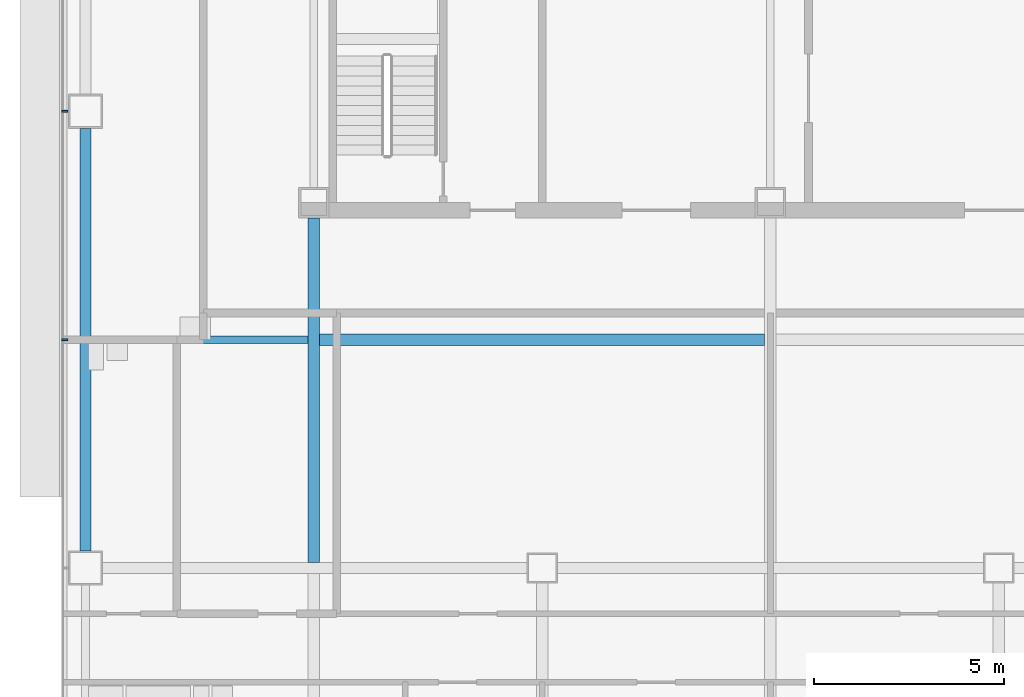
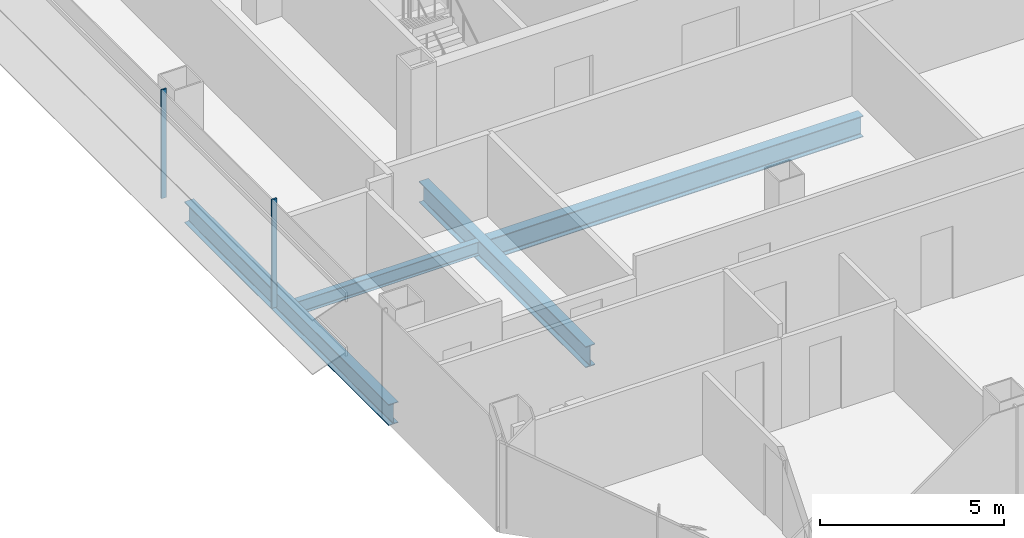
# One storey, part 4 of 27: 4 beams, 2 members, 1 element without a shape of its own.
"""IFC4 building model written with IfcOpenShell, lengths in metres."""

from ifc_helpers import new_model, si_unit, direction, frame, origin, origin_2d, place, context, subcontext, project, spatial, rectangle, i_section, extrude, material, material_profile, profile_set, type_object, element, aggregate, save


model = new_model("IFC4")

# Units and contexts
model_context = context("Model", 3, precision=1e-05, world=origin(), true_north=direction((0.0, 1.0)))
body_context = subcontext(model_context, "Body", "Model", "MODEL_VIEW")
ifc_project = project(units=[si_unit("LENGTHUNIT", "METRE"), si_unit("AREAUNIT", "SQUARE_METRE"), si_unit("VOLUMEUNIT", "CUBIC_METRE"), si_unit("PLANEANGLEUNIT", "RADIAN"), si_unit("MASSUNIT", "GRAM", prefix="KILO")], contexts=[model_context])

# Site, building, storey
site_placement = place(None, origin())
site = spatial("IfcSite", under=ifc_project, at=site_placement, CompositionType="ELEMENT")
building_placement = place(site_placement, origin())
building = spatial("IfcBuilding", under=site, at=building_placement, Name="Sorahane Residences", CompositionType="ELEMENT")
storey_placement = place(building_placement, frame((0.0, 0.0, 57.0)))
storey = spatial("IfcBuildingStorey", under=building, at=storey_placement, Name="L10", CompositionType="ELEMENT", Elevation=57.0)

# Curtain wall, members
ifc_material_1 = material(Name="Dark low-e glass and black anodised aluminium", Category="aluminium")
curtain_wall_type = type_object("IfcCurtainWallType", Name="Curtain wall CW-1 Typical unitised wall", PredefinedType="NOTDEFINED", material=ifc_material_1)
curtain_wall_placement = place(storey_placement, origin())
curtain_wall = element("IfcCurtainWall", 1, at=curtain_wall_placement, inside=storey, type_object=curtain_wall_type, Name="CW-1 curtain wall L10 W1", PredefinedType="NOTDEFINED")
ifc_material_2 = material(Name="Black anodised aluminium", Category="aluminium")
ifc_material_profile_1 = material_profile(ifc_material_2, rectangle(XDim=0.159912109375, YDim=0.050048828125, at=origin_2d()), Name="Curtain wall mullion CW-1 black anodised aluminium 50x160")
ifc_profile_set_1 = profile_set([ifc_material_profile_1], Name="Black anodised aluminium")
member_type = type_object("IfcMemberType", Name="Curtain wall mullion CW-1 black anodised aluminium 50x160", PredefinedType="MULLION", material=ifc_profile_set_1)
member_1_placement = place(storey_placement, frame((-0.5400390625, 24.0, -0.179931640625), z_axis=(0.0, 0.0, 1.0), x_axis=(-1.0, 0.0, 0.0)))
member_1 = element("IfcMember", 2, at=member_1_placement, type_object=member_type, Name="CW-1 mullion L10 W1.4", PredefinedType="MULLION", context=body_context, shape_type="SweptSolid", body=[
    extrude(rectangle(XDim=0.159912109375, YDim=0.050048828125, at=origin_2d()), origin(), (0.0, 0.0, 1.0), 3.599853515625),
])
member_2_placement = place(storey_placement, frame((-0.5400390625, 18.0, -0.179931640625), z_axis=(0.0, 0.0, 1.0), x_axis=(-1.0, 0.0, 0.0)))
member_2 = element("IfcMember", 3, at=member_2_placement, type_object=member_type, Name="CW-1 mullion L10 W1.5", PredefinedType="MULLION", context=body_context, shape_type="SweptSolid", body=[
    extrude(rectangle(XDim=0.159912109375, YDim=0.050048828125, at=origin_2d()), origin(), (0.0, 0.0, 1.0), 3.599853515625),
])
aggregate(curtain_wall, [member_1, member_2])

# Beams
ifc_material_3 = material(Name="Steel Q355B", Category="steel")
ifc_material_profile_2 = material_profile(ifc_material_3, i_section(OverallWidth=0.199951171875, OverallDepth=0.449951171875, WebThickness=0.009033203125, FlangeThickness=0.013916015625, FilletRadius=0.02001953125, at=origin_2d()), Name="HN 450x200x9x14")
ifc_profile_set_2 = profile_set([ifc_material_profile_2], Name="Steel Q355B")
beam_type_1 = type_object("IfcBeamType", Name="Steel floor beam HN 450x200x9x14 Q355B", PredefinedType="BEAM", material=ifc_profile_set_2)
beam_1_placement = place(storey_placement, frame((0.14990234375, 18.0, -0.405029296875), z_axis=(1.0, 0.0, 0.0), x_axis=(0.0, 1.0, 0.0)))
element("IfcBeam", 4, at=beam_1_placement, inside=storey, type_object=beam_type_1, Name="Beam L10 070", PredefinedType="BEAM", context=body_context, shape_type="SweptSolid", body=[
    extrude(i_section(OverallWidth=0.199951171875, OverallDepth=0.449951171875, WebThickness=0.009033203125, FlangeThickness=0.013916015625, FilletRadius=0.02001953125, at=origin_2d()), origin(), (0.0, 0.0, 1.0), 5.7001953125),
])
ifc_material_4 = material(Name="Steel Q355B", Category="steel")
ifc_material_profile_3 = material_profile(ifc_material_4, i_section(OverallWidth=0.300048828125, OverallDepth=0.699951171875, WebThickness=0.012939453125, FlangeThickness=0.02392578125, FilletRadius=0.028076171875, at=origin_2d()), Name="HN 700x300x13x24")
ifc_profile_set_3 = profile_set([ifc_material_profile_3], Name="Steel Q355B")
beam_type_2 = type_object("IfcBeamType", Name="Steel floor beam HN 700x300x13x24 Q355B", PredefinedType="BEAM", material=ifc_profile_set_3)
beam_2_placement = place(storey_placement, frame((0.0, 12.449951171875, -0.530029296875), z_axis=(0.0, 1.0, 0.0), x_axis=(-1.0, 0.0, 0.0)))
element("IfcBeam", 5, at=beam_2_placement, inside=storey, type_object=beam_type_2, Name="Beam L10 018", PredefinedType="BEAM", context=body_context, shape_type="SweptSolid", body=[
    extrude(i_section(OverallWidth=0.300048828125, OverallDepth=0.699951171875, WebThickness=0.012939453125, FlangeThickness=0.02392578125, FilletRadius=0.028076171875, at=origin_2d()), origin(), (0.0, 0.0, 1.0), 11.10009765625),
])
beam_3_placement = place(storey_placement, frame((6.0, 12.14990234375, -0.530029296875), z_axis=(0.0, 1.0, 0.0), x_axis=(-1.0, 0.0, 0.0)))
element("IfcBeam", 6, at=beam_3_placement, inside=storey, type_object=beam_type_2, Name="Beam L10 022", PredefinedType="BEAM", context=body_context, shape_type="SweptSolid", body=[
    extrude(i_section(OverallWidth=0.300048828125, OverallDepth=0.699951171875, WebThickness=0.012939453125, FlangeThickness=0.02392578125, FilletRadius=0.028076171875, at=origin_2d()), origin(), (0.0, 0.0, 1.0), 9.050048828125),
])
beam_4_placement = place(storey_placement, frame((6.14990234375, 18.0, -0.530029296875), z_axis=(1.0, 0.0, 0.0), x_axis=(0.0, 1.0, 0.0)))
element("IfcBeam", 7, at=beam_4_placement, inside=storey, type_object=beam_type_2, Name="Beam L10 071", PredefinedType="BEAM", context=body_context, shape_type="SweptSolid", body=[
    extrude(i_section(OverallWidth=0.300048828125, OverallDepth=0.699951171875, WebThickness=0.012939453125, FlangeThickness=0.02392578125, FilletRadius=0.028076171875, at=origin_2d()), origin(), (0.0, 0.0, 1.0), 11.7001953125),
])

save(model, "model.ifc")
